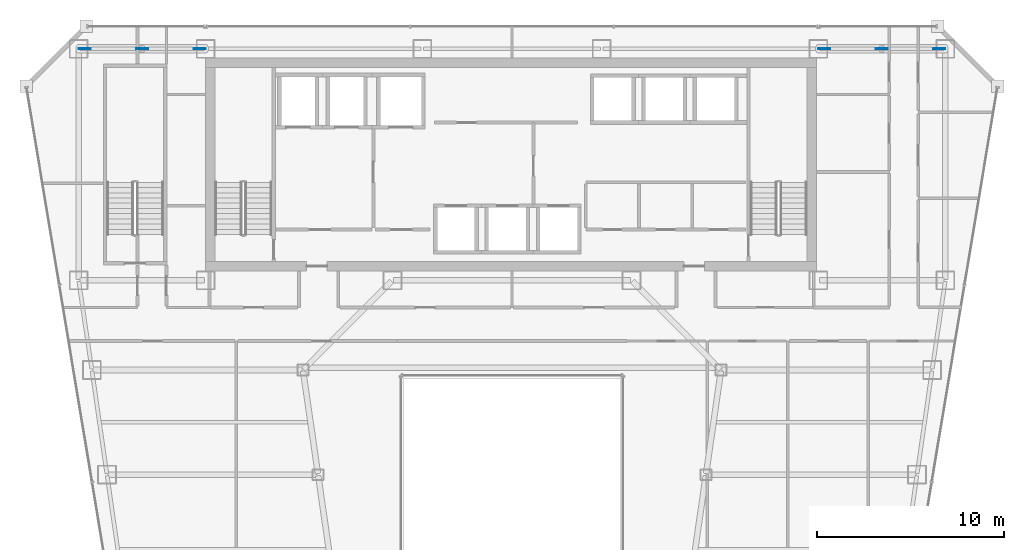
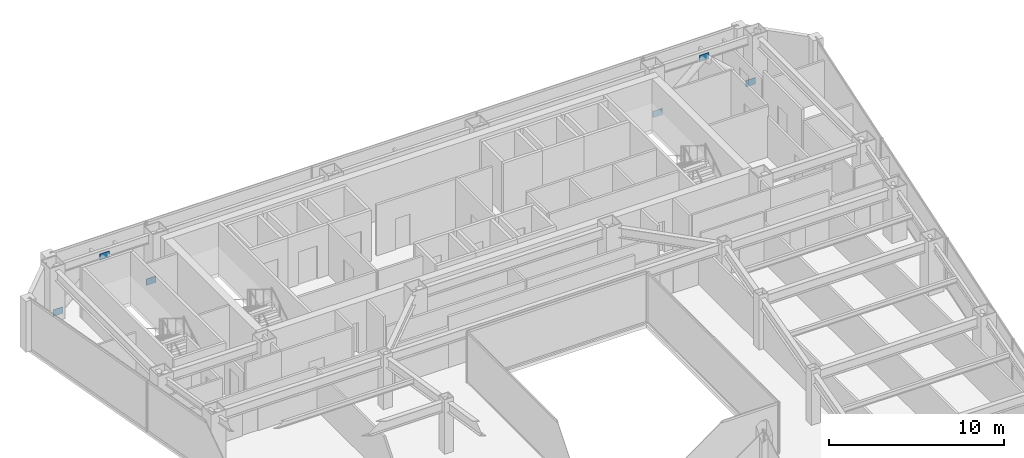
# One storey, part 30 of 37: 6 plates.
"""IFC4 building model written with IfcOpenShell, lengths in metres."""

from ifc_helpers import new_model, si_unit, direction, frame, origin, origin_2d, place, context, subcontext, project, spatial, rectangle, extrude, material, layer, layer_set, type_object, element, save


model = new_model("IFC4")

# Units and contexts
model_context = context("Model", 3, precision=1e-05, world=origin(), true_north=direction((0.0, 1.0)))
body_context = subcontext(model_context, "Body", "Model", "MODEL_VIEW")
ifc_project = project(units=[si_unit("LENGTHUNIT", "METRE"), si_unit("AREAUNIT", "SQUARE_METRE"), si_unit("VOLUMEUNIT", "CUBIC_METRE"), si_unit("PLANEANGLEUNIT", "RADIAN"), si_unit("MASSUNIT", "GRAM", prefix="KILO")], contexts=[model_context])

# Site, building, storey
site_placement = place(None, origin())
site = spatial("IfcSite", under=ifc_project, at=site_placement, CompositionType="ELEMENT")
building_placement = place(site_placement, origin())
building = spatial("IfcBuilding", under=site, at=building_placement, Name="Saevonmaru Cultural Tower", CompositionType="ELEMENT")
storey_placement = place(building_placement, frame((0.0, 0.0, 144.800048828125)))
storey = spatial("IfcBuildingStorey", under=building, at=storey_placement, Name="L31", CompositionType="ELEMENT", Elevation=144.800048828125)

# Plates
ifc_material = material(Name="Steel HSA600 (600 MPa)", Category="steel")
ifc_layer = layer(ifc_material, 0.0400390625, Name="Steel HSA600 (600 MPa)")
ifc_layer_set = layer_set([ifc_layer], Name="Steel HSA600 (600 MPa)")
plate_type = type_object("IfcPlateType", Name="PL-GUSSET-EXT", PredefinedType="USERDEFINED", material=ifc_layer_set)
for number, where, z_axis, x_axis, name in (
    (1, (10.199951171875, 54.800048828125, 2.85009765625), (0.0, 0.0, 1.0), (1.0, 0.0, 0.0), "L31 Perimeter Tube Gusset Plate"),
    (2, (7.1201171875, 54.800048828125, 0.02001953125), (0.0, 0.0, 1.0), (1.0, 0.0, 0.0), "L31 Perimeter Tube Gusset Plate"),
    (3, (13.280029296875, 54.800048828125, 0.02001953125), (0.0, 0.0, 1.0), (1.0, 0.0, 0.0), "L31 Perimeter Tube Gusset Plate"),
    (4, (49.800048828125, 54.800048828125, 2.85009765625), (0.0, 0.0, 1.0), (1.0, 0.0, 0.0), "L31 Perimeter Tube Gusset Plate"),
    (5, (46.719970703125, 54.800048828125, 0.02001953125), (0.0, 0.0, 1.0), (1.0, 0.0, 0.0), "L31 Perimeter Tube Gusset Plate"),
    (6, (52.8798828125, 54.800048828125, 0.02001953125), (0.0, 0.0, 1.0), (1.0, 0.0, 0.0), "L31 Perimeter Tube Gusset Plate"),
):
    element("IfcPlate", number, at=place(storey_placement, frame(where, z_axis=z_axis, x_axis=x_axis)), inside=storey, type_object=plate_type, Name=name, ObjectType="GUSSET_PLATE", PredefinedType="USERDEFINED", context=body_context, shape_type="SweptSolid", body=[
        extrude(rectangle(XDim=0.639892578125, YDim=0.0400390625, at=origin_2d()), origin(), (0.0, 0.0, 1.0), 0.43994140625),
    ])

save(model, "model.ifc")
